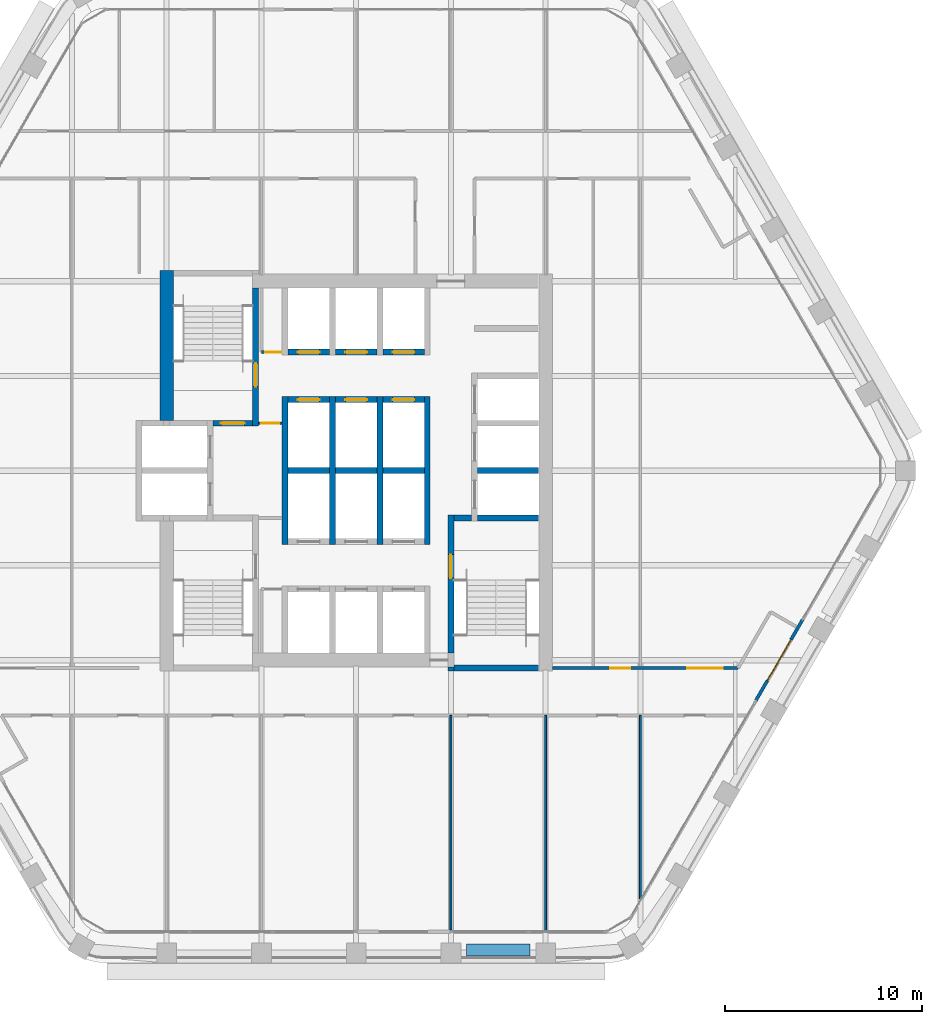
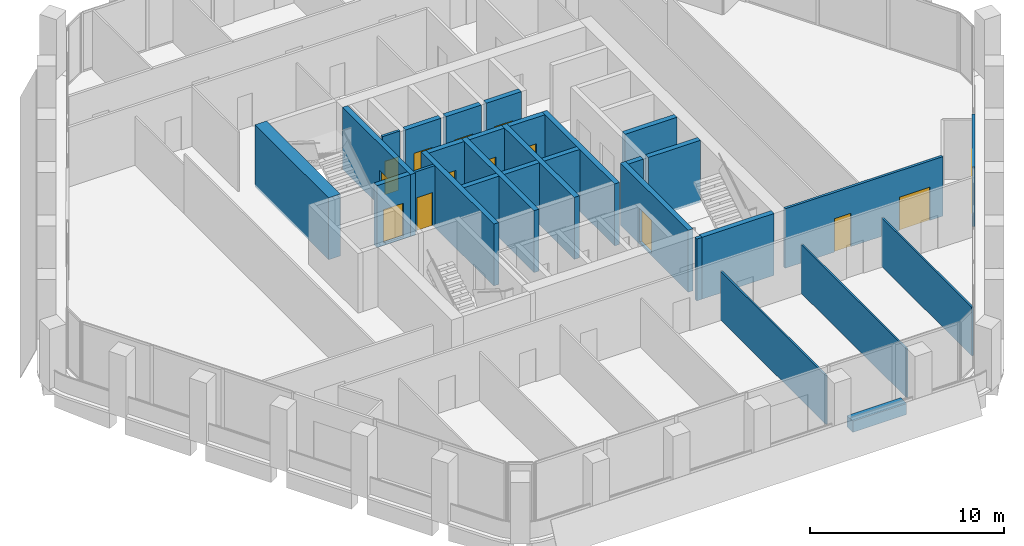
# One storey, part 10 of 15: 30 walls, 14 doors, 14 openings.
"""IFC4 building model written with IfcOpenShell, lengths in metres."""

import ifcopenshell
import ifcopenshell.guid

model = None  # the IFC model being written
_history = None  # IfcOwnerHistory: only IFC2X3 demands one
_inside = {}  # id of a spatial element -> (the spatial element, [elements in it])
_under = {}  # id of a project, library or spatial element -> (it, [spatial elements below it])
_declared = {}  # id of a project -> (the project, [libraries it declares])
_typed = {}  # id of a type object -> (the type object, [elements of that type])
_made_of = {}  # id of a material, layer set ... -> (it, [elements and type objects made of it])


def new_model(schema):
    """Start an empty IFC model of exactly this schema.

    Asked for "IFC4X3", IfcOpenShell would pick the latest addendum, in which some entities
    have other attributes; the version numbers below select the first issue.
    IFC2X3 requires an IfcOwnerHistory on every rooted entity: one is made here for all.
    """
    global model, _history
    if schema == "IFC4X3":
        model = ifcopenshell.file(schema_version=(4, 3, 0, 0))
    else:
        model = ifcopenshell.file(schema=schema)
    _inside.clear()
    _under.clear()
    _declared.clear()
    _typed.clear()
    _made_of.clear()
    _history = None
    if model.schema == "IFC2X3":
        org = make("IfcOrganization", Name="unknown")
        user = make(
            "IfcPersonAndOrganization",
            ThePerson=make("IfcPerson", FamilyName="unknown"),
            TheOrganization=org,
        )
        app = make(
            "IfcApplication",
            ApplicationDeveloper=org,
            Version="unknown",
            ApplicationFullName="unknown",
            ApplicationIdentifier="unknown",
        )
        _history = make(
            "IfcOwnerHistory",
            OwningUser=user,
            OwningApplication=app,
            ChangeAction="ADDED",
            CreationDate=0,
        )
    return model


def make(cls, **values):
    """One entity of the class cls with the attributes given. An attribute that is None is left unset."""
    return model.create_entity(
        cls, **{name: value for name, value in values.items() if value is not None}
    )


def rooted(cls, **values):
    """An entity with a GlobalId (a new one), such as an element, a storey or a relation."""
    return make(cls, GlobalId=ifcopenshell.guid.new(), OwnerHistory=_history, **values)


def si_unit(unit_type, name, prefix=None):
    """IfcSIUnit, for example si_unit("LENGTHUNIT", "METRE", prefix="MILLI")."""
    return make("IfcSIUnit", UnitType=unit_type, Prefix=prefix, Name=name)


def assignment(units):
    """IfcUnitAssignment: the units of a project."""
    return None if units is None else make("IfcUnitAssignment", Units=units)


def point(xyz):
    """IfcCartesianPoint."""
    return None if xyz is None else make("IfcCartesianPoint", Coordinates=xyz)


def direction(xyz):
    """IfcDirection."""
    return None if xyz is None else make("IfcDirection", DirectionRatios=xyz)


def frame(location, z_axis=None, x_axis=None):
    """IfcAxis2Placement3D, a coordinate frame: its origin and axes. An axis left out is left unset."""
    return make(
        "IfcAxis2Placement3D",
        Location=point(location),
        Axis=direction(z_axis),
        RefDirection=direction(x_axis),
    )


def frame_2d(location, x_axis=None):
    """IfcAxis2Placement2D, a coordinate frame in the plane: its origin and x axis."""
    return make(
        "IfcAxis2Placement2D", Location=point(location), RefDirection=direction(x_axis)
    )


def origin():
    """The frame at (0, 0, 0) with its axes left unset."""
    return frame((0.0, 0.0, 0.0))


def place(relative_to, where):
    """IfcLocalPlacement: puts the frame where relative to a parent placement (None: the world)."""
    return make(
        "IfcLocalPlacement", PlacementRelTo=relative_to, RelativePlacement=where
    )


def context(
    kind, dimensions, precision=None, world=None, true_north=None, identifier=None
):
    """IfcGeometricRepresentationContext, for example the 3D "Model" context."""
    return make(
        "IfcGeometricRepresentationContext",
        ContextIdentifier=identifier,
        ContextType=kind,
        CoordinateSpaceDimension=dimensions,
        Precision=precision,
        WorldCoordinateSystem=world,
        TrueNorth=true_north,
    )


def subcontext(parent, identifier, kind, view, scale=None):
    """IfcGeometricRepresentationSubContext, for example "Body" below "Model"."""
    return make(
        "IfcGeometricRepresentationSubContext",
        ContextIdentifier=identifier,
        ContextType=kind,
        ParentContext=parent,
        TargetScale=scale,
        TargetView=view,
    )


def project(units=None, contexts=None):
    """IfcProject with its units and contexts."""
    return rooted(
        "IfcProject",
        Name="project",
        RepresentationContexts=contexts,
        UnitsInContext=assignment(units),
    )


def spatial(cls, under=None, at=None, **own):
    """A site, building, storey or space (cls), placed at a placement, below another one or the project."""
    s = rooted(cls, ObjectPlacement=at, **own)
    if under is not None:
        _under.setdefault(under.id(), (under, []))[1].append(s)
    return s


def profile(cls, at=None, kind="AREA", **sizes):
    """A parametric profile (cls). Its sizes go by their IFC names, for example OverallWidth=200.0."""
    return make(cls, ProfileType=kind, Position=at, **sizes)


def rectangle(**sizes):
    """IfcRectangleProfileDef."""
    return profile("IfcRectangleProfileDef", **sizes)


def extrude(swept, where, along, depth):
    """IfcExtrudedAreaSolid: the profile swept, set in the frame where, extruded along a direction by depth."""
    return make(
        "IfcExtrudedAreaSolid",
        SweptArea=swept,
        Position=where,
        ExtrudedDirection=direction(along),
        Depth=depth,
    )


def shape(context_of_items, identifier, shape_type, items):
    """IfcShapeRepresentation: the items that make up one representation, for example the "Body"."""
    return make(
        "IfcShapeRepresentation",
        ContextOfItems=context_of_items,
        RepresentationIdentifier=identifier,
        RepresentationType=shape_type,
        Items=items,
    )


def material(Name=None, Category=None):
    """IfcMaterial."""
    return make("IfcMaterial", Name=Name, Category=Category)


def layer(
    of_material, thickness, ventilated=None, Name=None, Category=None, Priority=None
):
    """IfcMaterialLayer: one layer of a wall or slab, of a material (None: an air gap)."""
    return make(
        "IfcMaterialLayer",
        Material=of_material,
        LayerThickness=thickness,
        IsVentilated=ventilated,
        Name=Name,
        Category=Category,
        Priority=Priority,
    )


def layer_set(layers, Name=None):
    """IfcMaterialLayerSet."""
    return make("IfcMaterialLayerSet", MaterialLayers=layers, LayerSetName=Name)


def made_of(thing, what):
    """Note that an element or type object is made of a material, layer set ...; save() writes the relation."""
    if what is not None:
        _made_of.setdefault(what.id(), (what, []))[1].append(thing)
    return thing


def type_object(cls, material=None, **own):
    """A type object (cls), such as IfcWallType, which elements share."""
    return made_of(rooted(cls, **own), material)


def element(
    cls,
    number,
    at=None,
    inside=None,
    cuts=None,
    type_object=None,
    material=None,
    context=None,
    identifier="Body",
    shape_type=None,
    held_by="IfcProductDefinitionShape",
    body=None,
    shapes=None,
    **own,
):
    """One element of the class cls, such as IfcWall. Its Tag is "e" and its number.

    at: its placement. inside: the storey or other place that contains it. cuts: it is an
    opening in that element (IfcRelVoidsElement). A single representation is given by context,
    identifier, shape_type and body (its items); several are given by shapes. held_by: the class
    of the entity that holds the representations. save() writes the other relations.
    """
    e = rooted(cls, Tag="e%d" % number, ObjectPlacement=at, **own)
    if body is not None:
        shapes = [shape(context, identifier, shape_type, body)]
    if shapes is not None:
        e.Representation = make(held_by, Representations=shapes)
    if inside is not None:
        _inside.setdefault(inside.id(), (inside, []))[1].append(e)
    if cuts is not None:
        rooted(
            "IfcRelVoidsElement", RelatingBuildingElement=cuts, RelatedOpeningElement=e
        )
    if type_object is not None:
        _typed.setdefault(type_object.id(), (type_object, []))[1].append(e)
    return made_of(e, material)


def fill(opening, filler):
    """IfcRelFillsElement: the door or window that sits in an opening."""
    return rooted(
        "IfcRelFillsElement",
        RelatingOpeningElement=opening,
        RelatedBuildingElement=filler,
    )


def aggregate(whole, parts):
    """IfcRelAggregates: a whole, such as a stair, and the parts it consists of."""
    return rooted("IfcRelAggregates", RelatingObject=whole, RelatedObjects=parts)


def save(model, path):
    """Write the relations noted so far, then the file.

    IfcRelAggregates (storeys below a building ...), IfcRelContainedInSpatialStructure (elements
    in a storey), IfcRelDefinesByType, IfcRelAssociatesMaterial and IfcRelDeclares: one each for
    every whole, place, type object, material and project.
    """
    for whole, parts in _under.values():
        aggregate(whole, parts)
    for where, things in _inside.values():
        rooted(
            "IfcRelContainedInSpatialStructure",
            RelatedElements=things,
            RelatingStructure=where,
        )
    for kind, things in _typed.values():
        rooted("IfcRelDefinesByType", RelatedObjects=things, RelatingType=kind)
    for what, things in _made_of.values():
        rooted("IfcRelAssociatesMaterial", RelatedObjects=things, RelatingMaterial=what)
    for by, libraries in _declared.values():
        rooted("IfcRelDeclares", RelatingContext=by, RelatedDefinitions=libraries)
    model.write(path)


model = new_model("IFC4")

# Units and contexts
model_context = context("Model", 3, precision=1e-05, world=origin(), true_north=direction((0.0, 1.0)))
body_context = subcontext(model_context, "Body", "Model", "MODEL_VIEW")
ifc_project = project(units=[si_unit("LENGTHUNIT", "METRE"), si_unit("AREAUNIT", "SQUARE_METRE"), si_unit("VOLUMEUNIT", "CUBIC_METRE"), si_unit("PLANEANGLEUNIT", "RADIAN"), si_unit("MASSUNIT", "GRAM", prefix="KILO")], contexts=[model_context])

# Site, building, storey
site_placement = place(None, origin())
site = spatial("IfcSite", under=ifc_project, at=site_placement, CompositionType="ELEMENT")
building_placement = place(site_placement, origin())
building = spatial("IfcBuilding", under=site, at=building_placement, Name="Kolab Exchange Tower", CompositionType="ELEMENT")
storey_placement = place(building_placement, frame((0.0, 0.0, 189.5)))
storey = spatial("IfcBuildingStorey", under=building, at=storey_placement, Name="L40", CompositionType="ELEMENT", Elevation=189.5)

# Wall
ifc_material_1 = material(Name="Concrete C60/75", Category="concrete")
ifc_layer_1 = layer(ifc_material_1, 0.699951171875)
ifc_layer_set_1 = layer_set([ifc_layer_1], Name="Concrete C60/75")
wall_type_1 = type_object("IfcWallType", Name="CORE WALL 700 C60/75", PredefinedType="SHEAR", material=ifc_layer_set_1)
wall_1_placement = place(storey_placement, frame((-9.60009765625, 2.550048828125, -0.14990234375), z_axis=(0.0, 0.0, 1.0), x_axis=(0.0, 1.0, 0.0)))
element("IfcWall", 1, at=wall_1_placement, inside=storey, type_object=wall_type_1, Name="wall/L40/core/037", PredefinedType="SHEAR", context=body_context, shape_type="SweptSolid", body=[
    extrude(rectangle(XDim=7.599853515625, YDim=0.699951171875, at=frame_2d((3.7998046875, 0.0))), origin(), (0.0, 0.0, 1.0), 3.89990234375),
])

# Wall, opening, door
ifc_material_2 = material(Name="Aluminium EN AW-6063 T6", Category="aluminium")
ifc_layer_2 = layer(ifc_material_2, 0.159912109375)
ifc_layer_set_2 = layer_set([ifc_layer_2], Name="Aluminium EN AW-6063 T6")
wall_type_2 = type_object("IfcWallType", Name="DOOR SURROUND WALL 160 ALUMINIUM FRAMED", PredefinedType="PARTITIONING", material=ifc_layer_set_2)
wall_2_placement = place(storey_placement, frame((22.61669921875, -7.5498046875, 0.0), z_axis=(0.0, 0.0, 1.0), x_axis=(-0.5000167099, -0.866015756104, 0.0)))
wall_2 = element("IfcWall", 2, at=wall_2_placement, inside=storey, type_object=wall_type_2, Name="Door surround wall", PredefinedType="PARTITIONING", context=body_context, shape_type="SweptSolid", body=[
    extrude(rectangle(XDim=4.739990234375, YDim=0.159912109375, at=frame_2d((2.3701171875, 0.0))), origin(), (0.0, 0.0, 1.0), 3.75),
])
opening_1_placement = place(wall_2_placement, frame((1.169921875, 0.0, 0.0)))
opening_1 = element("IfcOpeningElement", 3, at=opening_1_placement, cuts=wall_2, Name="Opening GD1-066", PredefinedType="OPENING", context=body_context, shape_type="SweptSolid", body=[
    extrude(rectangle(XDim=2.39990234375, YDim=2.39990234375, at=frame_2d((1.199951171875, 1.199951171875))), frame((0.0, 0.08984375, 0.0), z_axis=(0.0, -1.0, 0.0), x_axis=(1.0, 0.0, 0.0)), (0.0, 0.0, 1.0), 0.179931640625),
])
door_type_1 = type_object("IfcDoorType", Name="LOGGIA SLIDING GLASS DOOR 2400 X 2400", OperationType="DOUBLE_DOOR_SINGLE_SWING", PredefinedType="DOOR", material=ifc_material_2)
door_1_placement = place(opening_1_placement, origin())
door_1 = element("IfcDoor", 4, at=door_1_placement, inside=storey, type_object=door_type_1, Name="Loggia door", OperationType="DOUBLE_DOOR_SLIDING", OverallHeight=2.39990234375, OverallWidth=2.39990234375, PredefinedType="DOOR", context=body_context, shape_type="SweptSolid", body=[
    extrude(rectangle(XDim=2.39990234375, YDim=2.39990234375, at=frame_2d((1.199951171875, 1.199951171875))), frame((0.0, 0.02490234375, 0.0), z_axis=(0.0, -1.0, 0.0), x_axis=(1.0, 0.0, 0.0)), (0.0, 0.0, 1.0), 0.050048828125),
])
fill(opening_1, door_1)

# Walls
ifc_material_3 = material(Name="Concrete C50/60", Category="concrete")
ifc_layer_3 = layer(ifc_material_3, 0.300048828125)
ifc_layer_set_3 = layer_set([ifc_layer_3], Name="Concrete C50/60")
wall_type_3 = type_object("IfcWallType", Name="LIFT SHAFT WALL 300 C50/60", PredefinedType="STANDARD", material=ifc_layer_set_3)
wall_3_placement = place(storey_placement, frame((-3.449951171875, 0.0, -0.14990234375), z_axis=(0.0, 0.0, 1.0), x_axis=(1.0, 0.0, 0.0)))
element("IfcWall", 5, at=wall_3_placement, inside=storey, type_object=wall_type_3, Name="wall/L40/core/015", PredefinedType="STANDARD", context=body_context, shape_type="SweptSolid", body=[
    extrude(rectangle(XDim=2.099853515625, YDim=0.300048828125, at=frame_2d((1.0498046875, 0.0))), origin(), (0.0, 0.0, 1.0), 3.89990234375),
])
wall_4_placement = place(storey_placement, frame((-1.050048828125, 0.0, -0.14990234375), z_axis=(0.0, 0.0, 1.0), x_axis=(1.0, 0.0, 0.0)))
element("IfcWall", 6, at=wall_4_placement, inside=storey, type_object=wall_type_3, Name="wall/L40/core/016", PredefinedType="STANDARD", context=body_context, shape_type="SweptSolid", body=[
    extrude(rectangle(XDim=2.10009765625, YDim=0.300048828125, at=frame_2d((1.050048828125, 0.0))), origin(), (0.0, 0.0, 1.0), 3.89990234375),
])
wall_5_placement = place(storey_placement, frame((1.35009765625, 0.0, -0.14990234375), z_axis=(0.0, 0.0, 1.0), x_axis=(1.0, 0.0, 0.0)))
element("IfcWall", 7, at=wall_5_placement, inside=storey, type_object=wall_type_3, Name="wall/L40/core/017", PredefinedType="STANDARD", context=body_context, shape_type="SweptSolid", body=[
    extrude(rectangle(XDim=2.099853515625, YDim=0.300048828125, at=frame_2d((1.0498046875, 0.0))), origin(), (0.0, 0.0, 1.0), 3.89990234375),
])
wall_6_placement = place(storey_placement, frame((6.14990234375, 0.0, -0.14990234375), z_axis=(0.0, 0.0, 1.0), x_axis=(1.0, 0.0, 0.0)))
element("IfcWall", 8, at=wall_6_placement, inside=storey, type_object=wall_type_3, Name="wall/L40/core/018", PredefinedType="STANDARD", context=body_context, shape_type="SweptSolid", body=[
    extrude(rectangle(XDim=3.10009765625, YDim=0.300048828125, at=frame_2d((1.550048828125, 0.0))), origin(), (0.0, 0.0, 1.0), 3.89990234375),
])

# Wall, opening, door
wall_7_placement = place(storey_placement, frame((-3.449951171875, 3.60009765625, -0.14990234375), z_axis=(0.0, 0.0, 1.0), x_axis=(1.0, 0.0, 0.0)))
wall_7 = element("IfcWall", 9, at=wall_7_placement, inside=storey, type_object=wall_type_3, Name="wall/L40/core/023", PredefinedType="STANDARD", context=body_context, shape_type="SweptSolid", body=[
    extrude(rectangle(XDim=2.099853515625, YDim=0.300048828125, at=frame_2d((1.0498046875, 0.0))), origin(), (0.0, 0.0, 1.0), 3.89990234375),
])
opening_2_placement = place(wall_7_placement, frame((0.5, 0.0, 0.14990234375)))
opening_2 = element("IfcOpeningElement", 10, at=opening_2_placement, cuts=wall_7, Name="Opening LD1-115", PredefinedType="OPENING", context=body_context, shape_type="SweptSolid", body=[
    extrude(rectangle(XDim=1.10009765625, YDim=2.10009765625, at=frame_2d((0.550048828125, 1.050048828125))), frame((0.0, 0.16015625, 0.0), z_axis=(0.0, -1.0, 0.0), x_axis=(1.0, 0.0, 0.0)), (0.0, 0.0, 1.0), 0.320068359375),
])
ifc_material_4 = material(Name="Stainless steel 316", Category="steel")
door_type_2 = type_object("IfcDoorType", Name="LANDING DOOR 1100 PASSENGER", OperationType="DOUBLE_DOOR_SLIDING", PredefinedType="DOOR", material=ifc_material_4)
door_2_placement = place(opening_2_placement, origin())
door_2 = element("IfcDoor", 11, at=door_2_placement, inside=storey, type_object=door_type_2, Name="Landing door HR4", OperationType="DOUBLE_DOOR_SLIDING", OverallHeight=2.10009765625, OverallWidth=1.10009765625, PredefinedType="DOOR", context=body_context, shape_type="SweptSolid", body=[
    extrude(rectangle(XDim=1.10009765625, YDim=2.10009765625, at=frame_2d((0.550048828125, 1.050048828125))), frame((0.0, 0.02490234375, 0.0), z_axis=(0.0, -1.0, 0.0), x_axis=(1.0, 0.0, 0.0)), (0.0, 0.0, 1.0), 0.050048828125),
])
fill(opening_2, door_2)

wall_8_placement = place(storey_placement, frame((-1.050048828125, 3.60009765625, -0.14990234375), z_axis=(0.0, 0.0, 1.0), x_axis=(1.0, 0.0, 0.0)))
wall_8 = element("IfcWall", 12, at=wall_8_placement, inside=storey, type_object=wall_type_3, Name="wall/L40/core/024", PredefinedType="STANDARD", context=body_context, shape_type="SweptSolid", body=[
    extrude(rectangle(XDim=2.10009765625, YDim=0.300048828125, at=frame_2d((1.050048828125, 0.0))), origin(), (0.0, 0.0, 1.0), 3.89990234375),
])
opening_3_placement = place(wall_8_placement, frame((0.5, 0.0, 0.14990234375)))
opening_3 = element("IfcOpeningElement", 13, at=opening_3_placement, cuts=wall_8, Name="Opening LD1-116", PredefinedType="OPENING", context=body_context, shape_type="SweptSolid", body=[
    extrude(rectangle(XDim=1.10009765625, YDim=2.10009765625, at=frame_2d((0.550048828125, 1.050048828125))), frame((0.0, 0.16015625, 0.0), z_axis=(0.0, -1.0, 0.0), x_axis=(1.0, 0.0, 0.0)), (0.0, 0.0, 1.0), 0.320068359375),
])
door_3_placement = place(opening_3_placement, origin())
door_3 = element("IfcDoor", 14, at=door_3_placement, inside=storey, type_object=door_type_2, Name="Landing door HR5", OperationType="DOUBLE_DOOR_SLIDING", OverallHeight=2.10009765625, OverallWidth=1.10009765625, PredefinedType="DOOR", context=body_context, shape_type="SweptSolid", body=[
    extrude(rectangle(XDim=1.10009765625, YDim=2.10009765625, at=frame_2d((0.550048828125, 1.050048828125))), frame((0.0, 0.02490234375, 0.0), z_axis=(0.0, -1.0, 0.0), x_axis=(1.0, 0.0, 0.0)), (0.0, 0.0, 1.0), 0.050048828125),
])
fill(opening_3, door_3)

wall_9_placement = place(storey_placement, frame((1.35009765625, 3.60009765625, -0.14990234375), z_axis=(0.0, 0.0, 1.0), x_axis=(1.0, 0.0, 0.0)))
wall_9 = element("IfcWall", 15, at=wall_9_placement, inside=storey, type_object=wall_type_3, Name="wall/L40/core/025", PredefinedType="STANDARD", context=body_context, shape_type="SweptSolid", body=[
    extrude(rectangle(XDim=2.099853515625, YDim=0.300048828125, at=frame_2d((1.0498046875, 0.0))), origin(), (0.0, 0.0, 1.0), 3.89990234375),
])
opening_4_placement = place(wall_9_placement, frame((0.5, 0.0, 0.14990234375)))
opening_4 = element("IfcOpeningElement", 16, at=opening_4_placement, cuts=wall_9, Name="Opening LD1-117", PredefinedType="OPENING", context=body_context, shape_type="SweptSolid", body=[
    extrude(rectangle(XDim=1.10009765625, YDim=2.10009765625, at=frame_2d((0.550048828125, 1.050048828125))), frame((0.0, 0.16015625, 0.0), z_axis=(0.0, -1.0, 0.0), x_axis=(1.0, 0.0, 0.0)), (0.0, 0.0, 1.0), 0.320068359375),
])
door_4_placement = place(opening_4_placement, origin())
door_4 = element("IfcDoor", 17, at=door_4_placement, inside=storey, type_object=door_type_2, Name="Landing door HR6", OperationType="DOUBLE_DOOR_SLIDING", OverallHeight=2.10009765625, OverallWidth=1.10009765625, PredefinedType="DOOR", context=body_context, shape_type="SweptSolid", body=[
    extrude(rectangle(XDim=1.10009765625, YDim=2.10009765625, at=frame_2d((0.550048828125, 1.050048828125))), frame((0.0, 0.02490234375, 0.0), z_axis=(0.0, -1.0, 0.0), x_axis=(1.0, 0.0, 0.0)), (0.0, 0.0, 1.0), 0.050048828125),
])
fill(opening_4, door_4)

wall_10_placement = place(storey_placement, frame((-3.449951171875, 6.0, -0.14990234375), z_axis=(0.0, 0.0, 1.0), x_axis=(1.0, 0.0, 0.0)))
wall_10 = element("IfcWall", 18, at=wall_10_placement, inside=storey, type_object=wall_type_3, Name="wall/L40/core/027", PredefinedType="STANDARD", context=body_context, shape_type="SweptSolid", body=[
    extrude(rectangle(XDim=2.099853515625, YDim=0.300048828125, at=frame_2d((1.0498046875, 0.0))), origin(), (0.0, 0.0, 1.0), 3.89990234375),
])
opening_5_placement = place(wall_10_placement, frame((0.5, 0.0, 0.14990234375)))
opening_5 = element("IfcOpeningElement", 19, at=opening_5_placement, cuts=wall_10, Name="Opening LD1-109", PredefinedType="OPENING", context=body_context, shape_type="SweptSolid", body=[
    extrude(rectangle(XDim=1.10009765625, YDim=2.10009765625, at=frame_2d((0.550048828125, 1.050048828125))), frame((0.0, 0.16015625, 0.0), z_axis=(0.0, -1.0, 0.0), x_axis=(1.0, 0.0, 0.0)), (0.0, 0.0, 1.0), 0.320068359375),
])
door_5_placement = place(opening_5_placement, origin())
door_5 = element("IfcDoor", 20, at=door_5_placement, inside=storey, type_object=door_type_2, Name="Landing door HR1", OperationType="DOUBLE_DOOR_SLIDING", OverallHeight=2.10009765625, OverallWidth=1.10009765625, PredefinedType="DOOR", context=body_context, shape_type="SweptSolid", body=[
    extrude(rectangle(XDim=1.10009765625, YDim=2.10009765625, at=frame_2d((0.550048828125, 1.050048828125))), frame((0.0, 0.02490234375, 0.0), z_axis=(0.0, -1.0, 0.0), x_axis=(1.0, 0.0, 0.0)), (0.0, 0.0, 1.0), 0.050048828125),
])
fill(opening_5, door_5)

wall_11_placement = place(storey_placement, frame((-1.050048828125, 6.0, -0.14990234375), z_axis=(0.0, 0.0, 1.0), x_axis=(1.0, 0.0, 0.0)))
wall_11 = element("IfcWall", 21, at=wall_11_placement, inside=storey, type_object=wall_type_3, Name="wall/L40/core/028", PredefinedType="STANDARD", context=body_context, shape_type="SweptSolid", body=[
    extrude(rectangle(XDim=2.10009765625, YDim=0.300048828125, at=frame_2d((1.050048828125, 0.0))), origin(), (0.0, 0.0, 1.0), 3.89990234375),
])
opening_6_placement = place(wall_11_placement, frame((0.5, 0.0, 0.14990234375)))
opening_6 = element("IfcOpeningElement", 22, at=opening_6_placement, cuts=wall_11, Name="Opening LD1-113", PredefinedType="OPENING", context=body_context, shape_type="SweptSolid", body=[
    extrude(rectangle(XDim=1.10009765625, YDim=2.10009765625, at=frame_2d((0.550048828125, 1.050048828125))), frame((0.0, 0.16015625, 0.0), z_axis=(0.0, -1.0, 0.0), x_axis=(1.0, 0.0, 0.0)), (0.0, 0.0, 1.0), 0.320068359375),
])
door_6_placement = place(opening_6_placement, origin())
door_6 = element("IfcDoor", 23, at=door_6_placement, inside=storey, type_object=door_type_2, Name="Landing door HR2", OperationType="DOUBLE_DOOR_SLIDING", OverallHeight=2.10009765625, OverallWidth=1.10009765625, PredefinedType="DOOR", context=body_context, shape_type="SweptSolid", body=[
    extrude(rectangle(XDim=1.10009765625, YDim=2.10009765625, at=frame_2d((0.550048828125, 1.050048828125))), frame((0.0, 0.02490234375, 0.0), z_axis=(0.0, -1.0, 0.0), x_axis=(1.0, 0.0, 0.0)), (0.0, 0.0, 1.0), 0.050048828125),
])
fill(opening_6, door_6)

wall_12_placement = place(storey_placement, frame((1.35009765625, 6.0, -0.14990234375), z_axis=(0.0, 0.0, 1.0), x_axis=(1.0, 0.0, 0.0)))
wall_12 = element("IfcWall", 24, at=wall_12_placement, inside=storey, type_object=wall_type_3, Name="wall/L40/core/029", PredefinedType="STANDARD", context=body_context, shape_type="SweptSolid", body=[
    extrude(rectangle(XDim=2.099853515625, YDim=0.300048828125, at=frame_2d((1.0498046875, 0.0))), origin(), (0.0, 0.0, 1.0), 3.89990234375),
])
opening_7_placement = place(wall_12_placement, frame((0.5, 0.0, 0.14990234375)))
opening_7 = element("IfcOpeningElement", 25, at=opening_7_placement, cuts=wall_12, Name="Opening LD1-114", PredefinedType="OPENING", context=body_context, shape_type="SweptSolid", body=[
    extrude(rectangle(XDim=1.10009765625, YDim=2.10009765625, at=frame_2d((0.550048828125, 1.050048828125))), frame((0.0, 0.16015625, 0.0), z_axis=(0.0, -1.0, 0.0), x_axis=(1.0, 0.0, 0.0)), (0.0, 0.0, 1.0), 0.320068359375),
])
door_7_placement = place(opening_7_placement, origin())
door_7 = element("IfcDoor", 26, at=door_7_placement, inside=storey, type_object=door_type_2, Name="Landing door HR3", OperationType="DOUBLE_DOOR_SLIDING", OverallHeight=2.10009765625, OverallWidth=1.10009765625, PredefinedType="DOOR", context=body_context, shape_type="SweptSolid", body=[
    extrude(rectangle(XDim=1.10009765625, YDim=2.10009765625, at=frame_2d((0.550048828125, 1.050048828125))), frame((0.0, 0.02490234375, 0.0), z_axis=(0.0, -1.0, 0.0), x_axis=(1.0, 0.0, 0.0)), (0.0, 0.0, 1.0), 0.050048828125),
])
fill(opening_7, door_7)

# Walls
for number, where, z_axis, x_axis, name in (
    (27, (-3.60009765625, -3.75, -0.14990234375), (0.0, 0.0, 1.0), (0.0, 1.0, 0.0), "wall/L40/core/044"),
    (28, (-1.199951171875, -3.75, -0.14990234375), (0.0, 0.0, 1.0), (0.0, 1.0, 0.0), "wall/L40/core/047"),
    (29, (1.199951171875, -3.75, -0.14990234375), (0.0, 0.0, 1.0), (0.0, 1.0, 0.0), "wall/L40/core/050"),
    (30, (3.60009765625, -3.75, -0.14990234375), (0.0, 0.0, 1.0), (0.0, 1.0, 0.0), "wall/L40/core/053"),
):
    element("IfcWall", number, at=place(storey_placement, frame(where, z_axis=z_axis, x_axis=x_axis)), inside=storey, type_object=wall_type_3, Name=name, PredefinedType="STANDARD", context=body_context, shape_type="SweptSolid", body=[
        extrude(rectangle(XDim=7.5, YDim=0.300048828125, at=frame_2d((3.75, 0.0))), origin(), (0.0, 0.0, 1.0), 3.89990234375),
    ])
ifc_material_5 = material(Name="Gypsum board", Category="gypsum")
ifc_layer_4 = layer(ifc_material_5, 0.10009765625)
ifc_layer_set_4 = layer_set([ifc_layer_4], Name="Gypsum board")
wall_type_4 = type_object("IfcWallType", Name="PARTITION 100", PredefinedType="PARTITIONING", material=ifc_layer_set_4)
wall_13_placement = place(storey_placement, frame((14.39990234375, -21.701416015625, 0.0), z_axis=(0.0, 0.0, 1.0), x_axis=(0.0, 1.0, 0.0)))
element("IfcWall", 31, at=wall_13_placement, inside=storey, type_object=wall_type_4, Name="Partition 000", PredefinedType="PARTITIONING", context=body_context, shape_type="SweptSolid", body=[
    extrude(rectangle(XDim=9.301513671875, YDim=0.10009765625, at=frame_2d((4.65087890625, 0.0))), origin(), (0.0, 0.0, 1.0), 3.06591796875),
])
wall_14_placement = place(storey_placement, frame((9.60009765625, -23.271484375, 0.0), z_axis=(0.0, 0.0, 1.0), x_axis=(0.0, 1.0, 0.0)))
element("IfcWall", 32, at=wall_14_placement, inside=storey, type_object=wall_type_4, Name="Partition 003", PredefinedType="PARTITIONING", context=body_context, shape_type="SweptSolid", body=[
    extrude(rectangle(XDim=10.87158203125, YDim=0.10009765625, at=frame_2d((5.435791015625, 0.0))), origin(), (0.0, 0.0, 1.0), 3.06591796875),
])
wall_15_placement = place(storey_placement, frame((4.800048828125, -23.281494140625, 0.0), z_axis=(0.0, 0.0, 1.0), x_axis=(0.0, 1.0, 0.0)))
element("IfcWall", 33, at=wall_15_placement, inside=storey, type_object=wall_type_4, Name="Partition 007", PredefinedType="PARTITIONING", context=body_context, shape_type="SweptSolid", body=[
    extrude(rectangle(XDim=10.881591796875, YDim=0.10009765625, at=frame_2d((5.44091796875, 0.0))), origin(), (0.0, 0.0, 1.0), 3.06591796875),
])

# Wall, openings, doors
ifc_layer_5 = layer(ifc_material_5, 0.14990234375)
ifc_layer_set_5 = layer_set([ifc_layer_5], Name="Gypsum board")
wall_type_5 = type_object("IfcWallType", Name="PARTITION 150 FIRE-RATED", PredefinedType="PARTITIONING", material=ifc_layer_set_5)
wall_16_placement = place(storey_placement, frame((9.949951171875, -10.0, 0.0), z_axis=(0.0, 0.0, 1.0), x_axis=(1.0, 0.0, 0.0)))
wall_16 = element("IfcWall", 34, at=wall_16_placement, inside=storey, type_object=wall_type_5, Name="Partition 031", PredefinedType="PARTITIONING", context=body_context, shape_type="SweptSolid", body=[
    extrude(rectangle(XDim=9.404541015625, YDim=0.14990234375, at=frame_2d((4.7021484375, 0.0))), origin(), (0.0, 0.0, 1.0), 3.75),
])
opening_8_placement = place(wall_16_placement, frame((2.925048828125, 0.0, 0.0)))
opening_8 = element("IfcOpeningElement", 35, at=opening_8_placement, cuts=wall_16, Name="Opening D1-535", PredefinedType="OPENING", context=body_context, shape_type="SweptSolid", body=[
    extrude(rectangle(XDim=1.0, YDim=2.10009765625, at=frame_2d((0.5, 1.050048828125))), frame((0.0, 0.0849609375, 0.0), z_axis=(0.0, -1.0, 0.0), x_axis=(1.0, 0.0, 0.0)), (0.0, 0.0, 1.0), 0.169921875),
])
opening_9_placement = place(wall_16_placement, frame((6.81640625, 0.0, 0.0)))
opening_9 = element("IfcOpeningElement", 36, at=opening_9_placement, cuts=wall_16, Name="Opening D2-055", PredefinedType="OPENING", context=body_context, shape_type="SweptSolid", body=[
    extrude(rectangle(XDim=1.800048828125, YDim=2.10009765625, at=frame_2d((0.89990234375, 1.050048828125))), frame((0.0, 0.0849609375, 0.0), z_axis=(0.0, -1.0, 0.0), x_axis=(1.0, 0.0, 0.0)), (0.0, 0.0, 1.0), 0.169921875),
])
ifc_material_6 = material(Name="Steel S235", Category="steel")
door_type_3 = type_object("IfcDoorType", Name="DOUBLE DOOR 1800 FD60", OperationType="DOUBLE_DOOR_SINGLE_SWING", PredefinedType="DOOR", material=ifc_material_6)
door_8_placement = place(opening_9_placement, origin())
door_8 = element("IfcDoor", 37, at=door_8_placement, inside=storey, type_object=door_type_3, Name="Door L40-050", OperationType="SINGLE_SWING_RIGHT", OverallHeight=2.10009765625, OverallWidth=1.800048828125, PredefinedType="DOOR", context=body_context, shape_type="SweptSolid", body=[
    extrude(rectangle(XDim=1.800048828125, YDim=2.10009765625, at=frame_2d((0.89990234375, 1.050048828125))), frame((0.0, 0.02490234375, 0.0), z_axis=(0.0, -1.0, 0.0), x_axis=(1.0, 0.0, 0.0)), (0.0, 0.0, 1.0), 0.050048828125),
])
fill(opening_9, door_8)
door_type_4 = type_object("IfcDoorType", Name="FLUSH DOOR 1000 FD60", OperationType="SINGLE_SWING_LEFT", PredefinedType="DOOR", material=ifc_material_6)
door_9_placement = place(opening_8_placement, origin())
door_9 = element("IfcDoor", 38, at=door_9_placement, inside=storey, type_object=door_type_4, Name="Door L40-049", OperationType="SINGLE_SWING_RIGHT", OverallHeight=2.10009765625, OverallWidth=1.0, PredefinedType="DOOR", context=body_context, shape_type="SweptSolid", body=[
    extrude(rectangle(XDim=1.0, YDim=2.10009765625, at=frame_2d((0.5, 1.050048828125))), frame((0.0, 0.02490234375, 0.0), z_axis=(0.0, -1.0, 0.0), x_axis=(1.0, 0.0, 0.0)), (0.0, 0.0, 1.0), 0.050048828125),
])
fill(opening_8, door_9)

# Wall, opening, door
wall_17_placement = place(storey_placement, frame((-4.800048828125, 6.0, 0.0), z_axis=(0.0, 0.0, 1.0), x_axis=(1.0, 0.0, 0.0)))
wall_17 = element("IfcWall", 39, at=wall_17_placement, inside=storey, type_object=wall_type_5, Name="Partition 033", PredefinedType="PARTITIONING", context=body_context, shape_type="SweptSolid", body=[
    extrude(rectangle(XDim=1.050048828125, YDim=0.14990234375, at=frame_2d((0.52490234375, 0.0))), origin(), (0.0, 0.0, 1.0), 3.75),
])
opening_10_placement = place(wall_17_placement, frame((0.199951171875, 0.0, 0.0)))
opening_10 = element("IfcOpeningElement", 40, at=opening_10_placement, cuts=wall_17, Name="Opening D7-032", PredefinedType="OPENING", context=body_context, shape_type="SweptSolid", body=[
    extrude(rectangle(XDim=0.800048828125, YDim=2.10009765625, at=frame_2d((0.39990234375, 1.050048828125))), frame((0.0, 0.0849609375, 0.0), z_axis=(0.0, -1.0, 0.0), x_axis=(1.0, 0.0, 0.0)), (0.0, 0.0, 1.0), 0.169921875),
])
door_type_5 = type_object("IfcDoorType", Name="FLUSH DOOR 800 FD60", OperationType="SINGLE_SWING_LEFT", PredefinedType="DOOR", material=ifc_material_6)
door_10_placement = place(opening_10_placement, origin())
door_10 = element("IfcDoor", 41, at=door_10_placement, inside=storey, type_object=door_type_5, Name="Door L40-023", OperationType="SINGLE_SWING_RIGHT", OverallHeight=2.10009765625, OverallWidth=0.800048828125, PredefinedType="DOOR", context=body_context, shape_type="SweptSolid", body=[
    extrude(rectangle(XDim=0.800048828125, YDim=2.10009765625, at=frame_2d((0.39990234375, 1.050048828125))), frame((0.0, 0.02490234375, 0.0), z_axis=(0.0, -1.0, 0.0), x_axis=(1.0, 0.0, 0.0)), (0.0, 0.0, 1.0), 0.050048828125),
])
fill(opening_10, door_10)

wall_18_placement = place(storey_placement, frame((-4.949951171875, 2.39990234375, 0.0), z_axis=(0.0, 0.0, 1.0), x_axis=(1.0, 0.0, 0.0)))
wall_18 = element("IfcWall", 42, at=wall_18_placement, inside=storey, type_object=wall_type_5, Name="Fire partition", PredefinedType="PARTITIONING", context=body_context, shape_type="SweptSolid", body=[
    extrude(rectangle(XDim=1.199951171875, YDim=0.14990234375, at=frame_2d((0.60009765625, 0.0))), origin(), (0.0, 0.0, 1.0), 3.75),
])
opening_11_placement = place(wall_18_placement, frame((0.14990234375, 0.0, 0.0)))
opening_11 = element("IfcOpeningElement", 43, at=opening_11_placement, cuts=wall_18, Name="Opening D6-288", PredefinedType="OPENING", context=body_context, shape_type="SweptSolid", body=[
    extrude(rectangle(XDim=0.89990234375, YDim=2.10009765625, at=frame_2d((0.449951171875, 1.050048828125))), frame((0.0, 0.0849609375, 0.0), z_axis=(0.0, -1.0, 0.0), x_axis=(1.0, 0.0, 0.0)), (0.0, 0.0, 1.0), 0.169921875),
])
door_type_6 = type_object("IfcDoorType", Name="CORE DOOR 900 EI 120", OperationType="SINGLE_SWING_LEFT", PredefinedType="DOOR", material=ifc_material_6)
door_11_placement = place(opening_11_placement, frame((0.89990234375, 0.0, 0.0), z_axis=(0.0, 0.0, 1.0), x_axis=(-1.0, 0.0, 0.0)))
door_11 = element("IfcDoor", 44, at=door_11_placement, inside=storey, type_object=door_type_6, Name="Firefighting lobby door", OperationType="SINGLE_SWING_RIGHT", OverallHeight=2.10009765625, OverallWidth=0.89990234375, PredefinedType="DOOR", context=body_context, shape_type="SweptSolid", body=[
    extrude(rectangle(XDim=0.89990234375, YDim=2.10009765625, at=frame_2d((0.449951171875, 1.050048828125))), frame((0.0, 0.02490234375, 0.0), z_axis=(0.0, -1.0, 0.0), x_axis=(1.0, 0.0, 0.0)), (0.0, 0.0, 1.0), 0.050048828125),
])
fill(opening_11, door_11)

# Walls
ifc_material_7 = material(Name="Granite facing", Category="masonry")
ifc_layer_6 = layer(ifc_material_7, 0.0400390625)
ifc_material_8 = material(Name="Concrete C40/50 precast", Category="concrete")
ifc_layer_7 = layer(ifc_material_8, 0.56005859375)
ifc_layer_set_6 = layer_set([ifc_layer_6, ifc_layer_7], Name="Concrete C40/50 precast")
wall_type_6 = type_object("IfcWallType", Name="PLANTER BOX 600 X 700 SOIL DEPTH 550", PredefinedType="USERDEFINED", material=ifc_layer_set_6)
wall_19_placement = place(storey_placement, frame((8.800048828125, -24.29150390625, 0.0), z_axis=(0.0, 0.0, 1.0), x_axis=(-1.0, 0.0, 0.0)))
element("IfcWall", 45, at=wall_19_placement, inside=storey, type_object=wall_type_6, Name="Planter", ObjectType="PLANTER", PredefinedType="USERDEFINED", context=body_context, shape_type="SweptSolid", body=[
    extrude(rectangle(XDim=3.199951171875, YDim=0.60009765625, at=frame_2d((1.60009765625, 0.0))), origin(), (0.0, 0.0, 1.0), 0.699951171875),
])
ifc_layer_8 = layer(ifc_material_3, 0.300048828125)
ifc_layer_set_7 = layer_set([ifc_layer_8], Name="Concrete C50/60")
wall_type_7 = type_object("IfcWallType", Name="STAIR ENCLOSURE WALL 300 C50/60", PredefinedType="STANDARD", material=ifc_layer_set_7)
wall_20_placement = place(storey_placement, frame((4.949951171875, -10.0, -0.14990234375), z_axis=(0.0, 0.0, 1.0), x_axis=(1.0, 0.0, 0.0)))
element("IfcWall", 46, at=wall_20_placement, inside=storey, type_object=wall_type_7, Name="wall/L40/core/001", PredefinedType="STANDARD", context=body_context, shape_type="SweptSolid", body=[
    extrude(rectangle(XDim=4.300048828125, YDim=0.300048828125, at=frame_2d((2.14990234375, 0.0))), origin(), (0.0, 0.0, 1.0), 3.89990234375),
])
wall_21_placement = place(storey_placement, frame((4.949951171875, -2.39990234375, -0.14990234375), z_axis=(0.0, 0.0, 1.0), x_axis=(1.0, 0.0, 0.0)))
element("IfcWall", 47, at=wall_21_placement, inside=storey, type_object=wall_type_7, Name="wall/L40/core/012", PredefinedType="STANDARD", context=body_context, shape_type="SweptSolid", body=[
    extrude(rectangle(XDim=0.900146484375, YDim=0.300048828125, at=frame_2d((0.4501953125, 0.0))), origin(), (0.0, 0.0, 1.0), 3.89990234375),
])
wall_22_placement = place(storey_placement, frame((6.14990234375, -2.39990234375, -0.14990234375), z_axis=(0.0, 0.0, 1.0), x_axis=(1.0, 0.0, 0.0)))
element("IfcWall", 48, at=wall_22_placement, inside=storey, type_object=wall_type_7, Name="wall/L40/core/013", PredefinedType="STANDARD", context=body_context, shape_type="SweptSolid", body=[
    extrude(rectangle(XDim=3.10009765625, YDim=0.300048828125, at=frame_2d((1.550048828125, 0.0))), origin(), (0.0, 0.0, 1.0), 3.89990234375),
])

# Wall, opening, door
wall_23_placement = place(storey_placement, frame((-7.25, 2.39990234375, -0.14990234375), z_axis=(0.0, 0.0, 1.0), x_axis=(1.0, 0.0, 0.0)))
wall_23 = element("IfcWall", 49, at=wall_23_placement, inside=storey, type_object=wall_type_7, Name="wall/L40/core/021", PredefinedType="STANDARD", context=body_context, shape_type="SweptSolid", body=[
    extrude(rectangle(XDim=2.0, YDim=0.300048828125, at=frame_2d((1.0, 0.0))), origin(), (0.0, 0.0, 1.0), 3.89990234375),
])
opening_12_placement = place(wall_23_placement, frame((0.39990234375, 0.0, 0.14990234375)))
opening_12 = element("IfcOpeningElement", 50, at=opening_12_placement, cuts=wall_23, Name="Opening D4-065", PredefinedType="OPENING", context=body_context, shape_type="SweptSolid", body=[
    extrude(rectangle(XDim=1.199951171875, YDim=2.10009765625, at=frame_2d((0.60009765625, 1.050048828125))), frame((0.0, 0.16015625, 0.0), z_axis=(0.0, -1.0, 0.0), x_axis=(1.0, 0.0, 0.0)), (0.0, 0.0, 1.0), 0.320068359375),
])
door_type_7 = type_object("IfcDoorType", Name="STAIR DOOR 1200 EI 120", OperationType="SINGLE_SWING_LEFT", PredefinedType="DOOR", material=ifc_material_6)
door_12_placement = place(opening_12_placement, origin())
door_12 = element("IfcDoor", 51, at=door_12_placement, inside=storey, type_object=door_type_7, Name="Stair 1 door", OperationType="SINGLE_SWING_RIGHT", OverallHeight=2.10009765625, OverallWidth=1.199951171875, PredefinedType="DOOR", context=body_context, shape_type="SweptSolid", body=[
    extrude(rectangle(XDim=1.199951171875, YDim=2.10009765625, at=frame_2d((0.60009765625, 1.050048828125))), frame((0.0, 0.02490234375, 0.0), z_axis=(0.0, -1.0, 0.0), x_axis=(1.0, 0.0, 0.0)), (0.0, 0.0, 1.0), 0.050048828125),
])
fill(opening_12, door_12)

wall_24_placement = place(storey_placement, frame((-5.10009765625, 2.25, -0.14990234375), z_axis=(0.0, 0.0, 1.0), x_axis=(0.0, 1.0, 0.0)))
wall_24 = element("IfcWall", 52, at=wall_24_placement, inside=storey, type_object=wall_type_7, Name="wall/L40/core/041", PredefinedType="STANDARD", context=body_context, shape_type="SweptSolid", body=[
    extrude(rectangle(XDim=7.0, YDim=0.300048828125, at=frame_2d((3.5, 0.0))), origin(), (0.0, 0.0, 1.0), 3.89990234375),
])
opening_13_placement = place(wall_24_placement, frame((2.0, 0.0, 0.14990234375)))
opening_13 = element("IfcOpeningElement", 53, at=opening_13_placement, cuts=wall_24, Name="Opening D4-066", PredefinedType="OPENING", context=body_context, shape_type="SweptSolid", body=[
    extrude(rectangle(XDim=1.199951171875, YDim=2.10009765625, at=frame_2d((0.60009765625, 1.050048828125))), frame((0.0, 0.16015625, 0.0), z_axis=(0.0, -1.0, 0.0), x_axis=(1.0, 0.0, 0.0)), (0.0, 0.0, 1.0), 0.320068359375),
])
door_13_placement = place(opening_13_placement, origin())
door_13 = element("IfcDoor", 54, at=door_13_placement, inside=storey, type_object=door_type_7, Name="Stair 1 door", OperationType="SINGLE_SWING_LEFT", OverallHeight=2.10009765625, OverallWidth=1.199951171875, PredefinedType="DOOR", context=body_context, shape_type="SweptSolid", body=[
    extrude(rectangle(XDim=1.199951171875, YDim=2.10009765625, at=frame_2d((0.60009765625, 1.050048828125))), frame((0.0, 0.02490234375, 0.0), z_axis=(0.0, -1.0, 0.0), x_axis=(1.0, 0.0, 0.0)), (0.0, 0.0, 1.0), 0.050048828125),
])
fill(opening_13, door_13)

# Wall
wall_25_placement = place(storey_placement, frame((4.800048828125, -10.14990234375, -0.14990234375), z_axis=(0.0, 0.0, 1.0), x_axis=(0.0, 1.0, 0.0)))
element("IfcWall", 55, at=wall_25_placement, inside=storey, type_object=wall_type_7, Name="wall/L40/core/055", PredefinedType="STANDARD", context=body_context, shape_type="SweptSolid", body=[
    extrude(rectangle(XDim=0.199951171875, YDim=0.300048828125, at=frame_2d((0.10009765625, 0.0))), origin(), (0.0, 0.0, 1.0), 3.89990234375),
])

# Wall, opening, door
wall_26_placement = place(storey_placement, frame((4.800048828125, -9.25, -0.14990234375), z_axis=(0.0, 0.0, 1.0), x_axis=(0.0, 1.0, 0.0)))
wall_26 = element("IfcWall", 56, at=wall_26_placement, inside=storey, type_object=wall_type_7, Name="wall/L40/core/056", PredefinedType="STANDARD", context=body_context, shape_type="SweptSolid", body=[
    extrude(rectangle(XDim=7.0, YDim=0.300048828125, at=frame_2d((3.5, 0.0))), origin(), (0.0, 0.0, 1.0), 3.89990234375),
])
opening_14_placement = place(wall_26_placement, frame((3.800048828125, 0.0, 0.14990234375)))
opening_14 = element("IfcOpeningElement", 57, at=opening_14_placement, cuts=wall_26, Name="Opening D4-067", PredefinedType="OPENING", context=body_context, shape_type="SweptSolid", body=[
    extrude(rectangle(XDim=1.199951171875, YDim=2.10009765625, at=frame_2d((0.60009765625, 1.050048828125))), frame((0.0, 0.16015625, 0.0), z_axis=(0.0, -1.0, 0.0), x_axis=(1.0, 0.0, 0.0)), (0.0, 0.0, 1.0), 0.320068359375),
])
door_14_placement = place(opening_14_placement, frame((1.199951171875, 0.0, 0.0), z_axis=(0.0, 0.0, 1.0), x_axis=(-1.0, 0.0, 0.0)))
door_14 = element("IfcDoor", 58, at=door_14_placement, inside=storey, type_object=door_type_7, Name="Stair 2 door", OperationType="SINGLE_SWING_RIGHT", OverallHeight=2.10009765625, OverallWidth=1.199951171875, PredefinedType="DOOR", context=body_context, shape_type="SweptSolid", body=[
    extrude(rectangle(XDim=1.199951171875, YDim=2.10009765625, at=frame_2d((0.60009765625, 1.050048828125))), frame((0.0, 0.02490234375, 0.0), z_axis=(0.0, -1.0, 0.0), x_axis=(1.0, 0.0, 0.0)), (0.0, 0.0, 1.0), 0.050048828125),
])
fill(opening_14, door_14)

save(model, "model.ifc")
